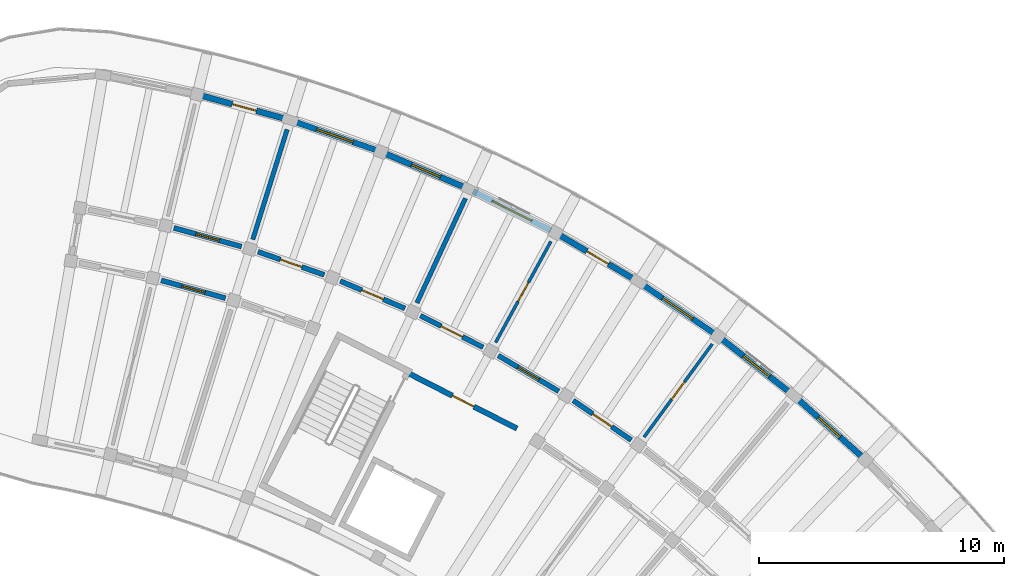
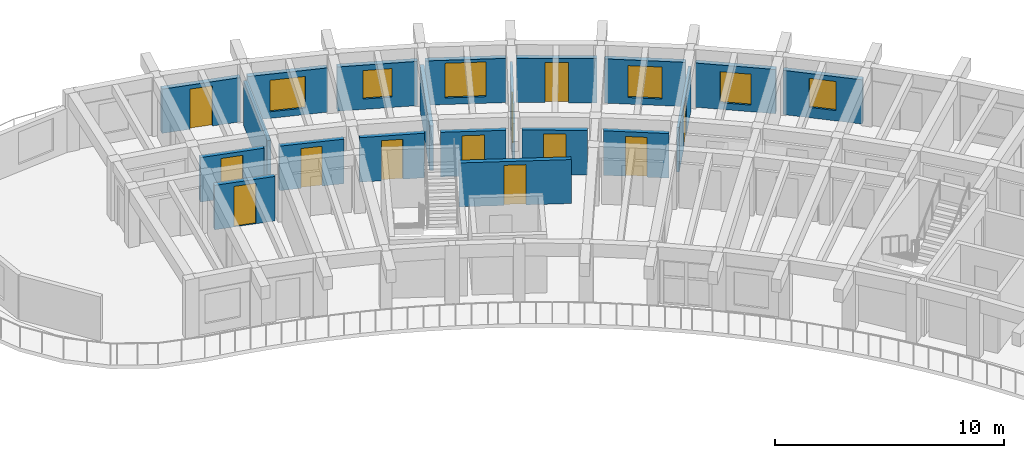
# One storey, part 36 of 56: 20 walls, 12 doors, 6 windows, 18 openings.
"""IFC4 building model written with IfcOpenShell, lengths in metres."""

import ifcopenshell
import ifcopenshell.guid

model = None  # the IFC model being written
_history = None  # IfcOwnerHistory: only IFC2X3 demands one
_inside = {}  # id of a spatial element -> (the spatial element, [elements in it])
_under = {}  # id of a project, library or spatial element -> (it, [spatial elements below it])
_declared = {}  # id of a project -> (the project, [libraries it declares])
_typed = {}  # id of a type object -> (the type object, [elements of that type])
_made_of = {}  # id of a material, layer set ... -> (it, [elements and type objects made of it])


def new_model(schema):
    """Start an empty IFC model of exactly this schema.

    Asked for "IFC4X3", IfcOpenShell would pick the latest addendum, in which some entities
    have other attributes; the version numbers below select the first issue.
    IFC2X3 requires an IfcOwnerHistory on every rooted entity: one is made here for all.
    """
    global model, _history
    if schema == "IFC4X3":
        model = ifcopenshell.file(schema_version=(4, 3, 0, 0))
    else:
        model = ifcopenshell.file(schema=schema)
    _inside.clear()
    _under.clear()
    _declared.clear()
    _typed.clear()
    _made_of.clear()
    _history = None
    if model.schema == "IFC2X3":
        org = make("IfcOrganization", Name="unknown")
        user = make(
            "IfcPersonAndOrganization",
            ThePerson=make("IfcPerson", FamilyName="unknown"),
            TheOrganization=org,
        )
        app = make(
            "IfcApplication",
            ApplicationDeveloper=org,
            Version="unknown",
            ApplicationFullName="unknown",
            ApplicationIdentifier="unknown",
        )
        _history = make(
            "IfcOwnerHistory",
            OwningUser=user,
            OwningApplication=app,
            ChangeAction="ADDED",
            CreationDate=0,
        )
    return model


def make(cls, **values):
    """One entity of the class cls with the attributes given. An attribute that is None is left unset."""
    return model.create_entity(
        cls, **{name: value for name, value in values.items() if value is not None}
    )


def rooted(cls, **values):
    """An entity with a GlobalId (a new one), such as an element, a storey or a relation."""
    return make(cls, GlobalId=ifcopenshell.guid.new(), OwnerHistory=_history, **values)


def si_unit(unit_type, name, prefix=None):
    """IfcSIUnit, for example si_unit("LENGTHUNIT", "METRE", prefix="MILLI")."""
    return make("IfcSIUnit", UnitType=unit_type, Prefix=prefix, Name=name)


def assignment(units):
    """IfcUnitAssignment: the units of a project."""
    return None if units is None else make("IfcUnitAssignment", Units=units)


def point(xyz):
    """IfcCartesianPoint."""
    return None if xyz is None else make("IfcCartesianPoint", Coordinates=xyz)


def direction(xyz):
    """IfcDirection."""
    return None if xyz is None else make("IfcDirection", DirectionRatios=xyz)


def frame(location, z_axis=None, x_axis=None):
    """IfcAxis2Placement3D, a coordinate frame: its origin and axes. An axis left out is left unset."""
    return make(
        "IfcAxis2Placement3D",
        Location=point(location),
        Axis=direction(z_axis),
        RefDirection=direction(x_axis),
    )


def frame_2d(location, x_axis=None):
    """IfcAxis2Placement2D, a coordinate frame in the plane: its origin and x axis."""
    return make(
        "IfcAxis2Placement2D", Location=point(location), RefDirection=direction(x_axis)
    )


def origin():
    """The frame at (0, 0, 0) with its axes left unset."""
    return frame((0.0, 0.0, 0.0))


def place(relative_to, where):
    """IfcLocalPlacement: puts the frame where relative to a parent placement (None: the world)."""
    return make(
        "IfcLocalPlacement", PlacementRelTo=relative_to, RelativePlacement=where
    )


def context(
    kind, dimensions, precision=None, world=None, true_north=None, identifier=None
):
    """IfcGeometricRepresentationContext, for example the 3D "Model" context."""
    return make(
        "IfcGeometricRepresentationContext",
        ContextIdentifier=identifier,
        ContextType=kind,
        CoordinateSpaceDimension=dimensions,
        Precision=precision,
        WorldCoordinateSystem=world,
        TrueNorth=true_north,
    )


def subcontext(parent, identifier, kind, view, scale=None):
    """IfcGeometricRepresentationSubContext, for example "Body" below "Model"."""
    return make(
        "IfcGeometricRepresentationSubContext",
        ContextIdentifier=identifier,
        ContextType=kind,
        ParentContext=parent,
        TargetScale=scale,
        TargetView=view,
    )


def project(units=None, contexts=None):
    """IfcProject with its units and contexts."""
    return rooted(
        "IfcProject",
        Name="project",
        RepresentationContexts=contexts,
        UnitsInContext=assignment(units),
    )


def spatial(cls, under=None, at=None, **own):
    """A site, building, storey or space (cls), placed at a placement, below another one or the project."""
    s = rooted(cls, ObjectPlacement=at, **own)
    if under is not None:
        _under.setdefault(under.id(), (under, []))[1].append(s)
    return s


def profile(cls, at=None, kind="AREA", **sizes):
    """A parametric profile (cls). Its sizes go by their IFC names, for example OverallWidth=200.0."""
    return make(cls, ProfileType=kind, Position=at, **sizes)


def rectangle(**sizes):
    """IfcRectangleProfileDef."""
    return profile("IfcRectangleProfileDef", **sizes)


def extrude(swept, where, along, depth):
    """IfcExtrudedAreaSolid: the profile swept, set in the frame where, extruded along a direction by depth."""
    return make(
        "IfcExtrudedAreaSolid",
        SweptArea=swept,
        Position=where,
        ExtrudedDirection=direction(along),
        Depth=depth,
    )


def shape(context_of_items, identifier, shape_type, items):
    """IfcShapeRepresentation: the items that make up one representation, for example the "Body"."""
    return make(
        "IfcShapeRepresentation",
        ContextOfItems=context_of_items,
        RepresentationIdentifier=identifier,
        RepresentationType=shape_type,
        Items=items,
    )


def material(Name=None, Category=None):
    """IfcMaterial."""
    return make("IfcMaterial", Name=Name, Category=Category)


def layer(
    of_material, thickness, ventilated=None, Name=None, Category=None, Priority=None
):
    """IfcMaterialLayer: one layer of a wall or slab, of a material (None: an air gap)."""
    return make(
        "IfcMaterialLayer",
        Material=of_material,
        LayerThickness=thickness,
        IsVentilated=ventilated,
        Name=Name,
        Category=Category,
        Priority=Priority,
    )


def layer_set(layers, Name=None):
    """IfcMaterialLayerSet."""
    return make("IfcMaterialLayerSet", MaterialLayers=layers, LayerSetName=Name)


def made_of(thing, what):
    """Note that an element or type object is made of a material, layer set ...; save() writes the relation."""
    if what is not None:
        _made_of.setdefault(what.id(), (what, []))[1].append(thing)
    return thing


def type_object(cls, material=None, **own):
    """A type object (cls), such as IfcWallType, which elements share."""
    return made_of(rooted(cls, **own), material)


def element(
    cls,
    number,
    at=None,
    inside=None,
    cuts=None,
    type_object=None,
    material=None,
    context=None,
    identifier="Body",
    shape_type=None,
    held_by="IfcProductDefinitionShape",
    body=None,
    shapes=None,
    **own,
):
    """One element of the class cls, such as IfcWall. Its Tag is "e" and its number.

    at: its placement. inside: the storey or other place that contains it. cuts: it is an
    opening in that element (IfcRelVoidsElement). A single representation is given by context,
    identifier, shape_type and body (its items); several are given by shapes. held_by: the class
    of the entity that holds the representations. save() writes the other relations.
    """
    e = rooted(cls, Tag="e%d" % number, ObjectPlacement=at, **own)
    if body is not None:
        shapes = [shape(context, identifier, shape_type, body)]
    if shapes is not None:
        e.Representation = make(held_by, Representations=shapes)
    if inside is not None:
        _inside.setdefault(inside.id(), (inside, []))[1].append(e)
    if cuts is not None:
        rooted(
            "IfcRelVoidsElement", RelatingBuildingElement=cuts, RelatedOpeningElement=e
        )
    if type_object is not None:
        _typed.setdefault(type_object.id(), (type_object, []))[1].append(e)
    return made_of(e, material)


def fill(opening, filler):
    """IfcRelFillsElement: the door or window that sits in an opening."""
    return rooted(
        "IfcRelFillsElement",
        RelatingOpeningElement=opening,
        RelatedBuildingElement=filler,
    )


def aggregate(whole, parts):
    """IfcRelAggregates: a whole, such as a stair, and the parts it consists of."""
    return rooted("IfcRelAggregates", RelatingObject=whole, RelatedObjects=parts)


def save(model, path):
    """Write the relations noted so far, then the file.

    IfcRelAggregates (storeys below a building ...), IfcRelContainedInSpatialStructure (elements
    in a storey), IfcRelDefinesByType, IfcRelAssociatesMaterial and IfcRelDeclares: one each for
    every whole, place, type object, material and project.
    """
    for whole, parts in _under.values():
        aggregate(whole, parts)
    for where, things in _inside.values():
        rooted(
            "IfcRelContainedInSpatialStructure",
            RelatedElements=things,
            RelatingStructure=where,
        )
    for kind, things in _typed.values():
        rooted("IfcRelDefinesByType", RelatedObjects=things, RelatingType=kind)
    for what, things in _made_of.values():
        rooted("IfcRelAssociatesMaterial", RelatedObjects=things, RelatingMaterial=what)
    for by, libraries in _declared.values():
        rooted("IfcRelDeclares", RelatingContext=by, RelatedDefinitions=libraries)
    model.write(path)


model = new_model("IFC4")

# Units and contexts
model_context = context("Model", 3, precision=1e-05, world=origin(), true_north=direction((0.0, 1.0)))
body_context = subcontext(model_context, "Body", "Model", "MODEL_VIEW")
ifc_project = project(units=[si_unit("LENGTHUNIT", "METRE"), si_unit("AREAUNIT", "SQUARE_METRE"), si_unit("VOLUMEUNIT", "CUBIC_METRE"), si_unit("PLANEANGLEUNIT", "RADIAN"), si_unit("MASSUNIT", "GRAM", prefix="KILO")], contexts=[model_context])

# Site, building, storey
site_placement = place(None, origin())
site = spatial("IfcSite", under=ifc_project, at=site_placement, CompositionType="ELEMENT")
building_placement = place(site_placement, origin())
building = spatial("IfcBuilding", under=site, at=building_placement, Name="Tanwirah Colonnade Gardens", CompositionType="ELEMENT")
storey_placement = place(building_placement, frame((0.0, 0.0, 29.0)))
storey = spatial("IfcBuildingStorey", under=building, at=storey_placement, Name="L08", CompositionType="ELEMENT", Elevation=29.0)

# Wall, opening, window
ifc_material_1 = material(Name="Limestone architectural precast concrete C40/50", Category="masonry")
ifc_layer_1 = layer(ifc_material_1, 0.239990234375)
ifc_layer_set_1 = layer_set([ifc_layer_1], Name="Limestone architectural precast concrete C40/50")
wall_type_1 = type_object("IfcWallType", Name="EW-PC240", PredefinedType="SOLIDWALL", material=ifc_layer_set_1)
wall_1_placement = place(storey_placement, frame((162.03662109375, 103.34375, 0.0), z_axis=(0.0, 0.0, 1.0), x_axis=(-0.744438243575, 0.667691322021, 0.0)))
wall_1 = element("IfcWall", 1, at=wall_1_placement, inside=storey, type_object=wall_type_1, Name="Block B L08 OUT Precast Facade Wall 8", PredefinedType="SOLIDWALL", context=body_context, shape_type="SweptSolid", body=[
    extrude(rectangle(XDim=3.54052734375, YDim=0.239990234375, at=frame_2d((1.770263671875, 0.0))), origin(), (0.0, 0.0, 1.0), 2.35498046875),
])
opening_1_placement = place(wall_1_placement, frame((1.17041015625, 0.0, 0.550048828125)))
opening_1 = element("IfcOpeningElement", 2, at=opening_1_placement, cuts=wall_1, Name="Opening WIN-T02", PredefinedType="OPENING", context=body_context, shape_type="SweptSolid", body=[
    extrude(rectangle(XDim=1.199951171875, YDim=1.550048828125, at=frame_2d((0.60009765625, 0.77490234375))), frame((0.0, 0.1298828125, 0.0), z_axis=(0.0, -1.0, 0.0), x_axis=(1.0, 0.0, 0.0)), (0.0, 0.0, 1.0), 0.260009765625),
])
ifc_material_2 = material(Name="Thermally broken bronze aluminium and solar low-E double glazing", Category="aluminium")
window_type_1 = type_object("IfcWindowType", Name="WIN-T02", PartitioningType="SINGLE_PANEL", PredefinedType="WINDOW", material=ifc_material_2)
window_1_placement = place(opening_1_placement, origin())
window_1 = element("IfcWindow", 3, at=window_1_placement, inside=storey, type_object=window_type_1, Name="Facade window B-L08-OUT-08", OverallHeight=1.550048828125, OverallWidth=1.199951171875, PartitioningType="SINGLE_PANEL", PredefinedType="WINDOW", context=body_context, shape_type="SweptSolid", body=[
    extrude(rectangle(XDim=1.199951171875, YDim=1.550048828125, at=frame_2d((0.60009765625, 0.77490234375))), frame((0.0, 0.030029296875, 0.0), z_axis=(0.0, -1.0, 0.0), x_axis=(1.0, 0.0, 0.0)), (0.0, 0.0, 1.0), 0.06005859375),
])
fill(opening_1, window_1)

wall_2_placement = place(storey_placement, frame((159.148193359375, 105.919677734375, 0.0), z_axis=(0.0, 0.0, 1.0), x_axis=(-0.786813367299, 0.617190995592, 0.0)))
wall_2 = element("IfcWall", 4, at=wall_2_placement, inside=storey, type_object=wall_type_1, Name="Block B L08 OUT Precast Facade Wall 9", PredefinedType="SOLIDWALL", context=body_context, shape_type="SweptSolid", body=[
    extrude(rectangle(XDim=3.540771484375, YDim=0.239990234375, at=frame_2d((1.7705078125, 0.0))), origin(), (0.0, 0.0, 1.0), 2.35498046875),
])
opening_2_placement = place(wall_2_placement, frame((1.095458984375, 0.0, 0.35009765625)))
opening_2 = element("IfcOpeningElement", 5, at=opening_2_placement, cuts=wall_2, Name="Opening WIN-T05", PredefinedType="OPENING", context=body_context, shape_type="SweptSolid", body=[
    extrude(rectangle(XDim=1.35009765625, YDim=1.64990234375, at=frame_2d((0.675048828125, 0.824951171875))), frame((0.0, 0.1298828125, 0.0), z_axis=(0.0, -1.0, 0.0), x_axis=(1.0, 0.0, 0.0)), (0.0, 0.0, 1.0), 0.260009765625),
])
window_type_2 = type_object("IfcWindowType", Name="WIN-T05", PartitioningType="DOUBLE_PANEL_VERTICAL", PredefinedType="WINDOW", material=ifc_material_2)
window_2_placement = place(opening_2_placement, origin())
window_2 = element("IfcWindow", 6, at=window_2_placement, inside=storey, type_object=window_type_2, Name="Facade window B-L08-OUT-09", OverallHeight=1.64990234375, OverallWidth=1.35009765625, PartitioningType="SINGLE_PANEL", PredefinedType="WINDOW", context=body_context, shape_type="SweptSolid", body=[
    extrude(rectangle(XDim=1.35009765625, YDim=1.64990234375, at=frame_2d((0.675048828125, 0.824951171875))), frame((0.0, 0.030029296875, 0.0), z_axis=(0.0, -1.0, 0.0), x_axis=(1.0, 0.0, 0.0)), (0.0, 0.0, 1.0), 0.06005859375),
])
fill(opening_2, window_2)

wall_3_placement = place(storey_placement, frame((156.007568359375, 108.364990234375, 0.0), z_axis=(0.0, 0.0, 1.0), x_axis=(-0.825792366032, 0.563974262005, 0.0)))
wall_3 = element("IfcWall", 7, at=wall_3_placement, inside=storey, type_object=wall_type_1, Name="Block B L08 OUT Precast Facade Wall 10", PredefinedType="SOLIDWALL", context=body_context, shape_type="SweptSolid", body=[
    extrude(rectangle(XDim=3.54052734375, YDim=0.239990234375, at=frame_2d((1.770263671875, 0.0))), origin(), (0.0, 0.0, 1.0), 2.35498046875),
])
opening_3_placement = place(wall_3_placement, frame((1.020263671875, 0.0, 0.35009765625)))
opening_3 = element("IfcOpeningElement", 8, at=opening_3_placement, cuts=wall_3, Name="Opening WIN-T08", PredefinedType="OPENING", context=body_context, shape_type="SweptSolid", body=[
    extrude(rectangle(XDim=1.5, YDim=1.699951171875, at=frame_2d((0.75, 0.85009765625))), frame((0.0, 0.1298828125, 0.0), z_axis=(0.0, -1.0, 0.0), x_axis=(1.0, 0.0, 0.0)), (0.0, 0.0, 1.0), 0.260009765625),
])
window_type_3 = type_object("IfcWindowType", Name="WIN-T08", PartitioningType="DOUBLE_PANEL_VERTICAL", PredefinedType="WINDOW", material=ifc_material_2)
window_3_placement = place(opening_3_placement, origin())
window_3 = element("IfcWindow", 9, at=window_3_placement, inside=storey, type_object=window_type_3, Name="Facade window B-L08-OUT-10", OverallHeight=1.699951171875, OverallWidth=1.5, PartitioningType="SINGLE_PANEL", PredefinedType="WINDOW", context=body_context, shape_type="SweptSolid", body=[
    extrude(rectangle(XDim=1.5, YDim=1.699951171875, at=frame_2d((0.75, 0.85009765625))), frame((0.0, 0.030029296875, 0.0), z_axis=(0.0, -1.0, 0.0), x_axis=(1.0, 0.0, 0.0)), (0.0, 0.0, 1.0), 0.06005859375),
])
fill(opening_3, window_3)

# Wall, opening, door
wall_4_placement = place(storey_placement, frame((152.805419921875, 110.538818359375, 0.0), z_axis=(0.0, 0.0, 1.0), x_axis=(-0.861133733249, 0.508378494294, 0.0)))
wall_4 = element("IfcWall", 10, at=wall_4_placement, inside=storey, type_object=wall_type_1, Name="Block B L08 OUT Precast Facade Wall 11", PredefinedType="SOLIDWALL", context=body_context, shape_type="SweptSolid", body=[
    extrude(rectangle(XDim=3.540771484375, YDim=0.239990234375, at=frame_2d((1.7705078125, 0.0))), origin(), (0.0, 0.0, 1.0), 2.35498046875),
])
opening_4_placement = place(wall_4_placement, frame((1.260498046875, 0.0, 0.0)))
opening_4 = element("IfcOpeningElement", 11, at=opening_4_placement, cuts=wall_4, Name="Opening L08-ED106", PredefinedType="OPENING", context=body_context, shape_type="SweptSolid", body=[
    extrude(rectangle(XDim=1.02001953125, YDim=2.139892578125, at=frame_2d((0.510009765625, 1.06982421875))), frame((0.0, 0.1298828125, 0.0), z_axis=(0.0, -1.0, 0.0), x_axis=(1.0, 0.0, 0.0)), (0.0, 0.0, 1.0), 0.260009765625),
])
ifc_material_3 = material(Name="Bronze aluminium glazed balcony door", Category="aluminium")
door_type_1 = type_object("IfcDoorType", Name="ED-BAL102", OperationType="NOTDEFINED", PredefinedType="DOOR", material=ifc_material_3)
door_1_placement = place(opening_4_placement, origin())
door_1 = element("IfcDoor", 12, at=door_1_placement, inside=storey, type_object=door_type_1, Name="Balcony glazed door L08-ED106", OperationType="SINGLE_SWING_RIGHT", OverallHeight=2.139892578125, OverallWidth=1.02001953125, PredefinedType="DOOR", context=body_context, shape_type="SweptSolid", body=[
    extrude(rectangle(XDim=1.02001953125, YDim=2.139892578125, at=frame_2d((0.510009765625, 1.06982421875))), frame((0.0, 0.02490234375, 0.0), z_axis=(0.0, -1.0, 0.0), x_axis=(1.0, 0.0, 0.0)), (0.0, 0.0, 1.0), 0.050048828125),
])
fill(opening_4, door_1)

# Wall, opening, window
wall_5_placement = place(storey_placement, frame((149.37060546875, 112.5498046875, 0.0), z_axis=(0.0, 0.0, 1.0), x_axis=(-0.892766264705, 0.450520140066, 0.0)))
wall_5 = element("IfcWall", 13, at=wall_5_placement, inside=storey, type_object=wall_type_1, Name="Block B L08 OUT Precast Facade Wall 12", PredefinedType="SOLIDWALL", context=body_context, shape_type="SweptSolid", body=[
    extrude(rectangle(XDim=3.540771484375, YDim=0.239990234375, at=frame_2d((1.7705078125, 0.0))), origin(), (0.0, 0.0, 1.0), 2.35498046875),
])
opening_5_placement = place(wall_5_placement, frame((0.870361328125, 0.0, 0.35009765625)))
opening_5 = element("IfcOpeningElement", 14, at=opening_5_placement, cuts=wall_5, Name="Opening WIN-T14", PredefinedType="OPENING", context=body_context, shape_type="SweptSolid", body=[
    extrude(rectangle(XDim=1.800048828125, YDim=1.85009765625, at=frame_2d((0.89990234375, 0.925048828125))), frame((0.0, 0.1298828125, 0.0), z_axis=(0.0, -1.0, 0.0), x_axis=(1.0, 0.0, 0.0)), (0.0, 0.0, 1.0), 0.260009765625),
])
window_type_4 = type_object("IfcWindowType", Name="WIN-T14", PartitioningType="TRIPLE_PANEL_VERTICAL", PredefinedType="WINDOW", material=ifc_material_2)
window_4_placement = place(opening_5_placement, origin())
window_4 = element("IfcWindow", 15, at=window_4_placement, inside=storey, type_object=window_type_4, Name="Facade window B-L08-OUT-12", OverallHeight=1.85009765625, OverallWidth=1.800048828125, PartitioningType="SINGLE_PANEL", PredefinedType="WINDOW", context=body_context, shape_type="SweptSolid", body=[
    extrude(rectangle(XDim=1.800048828125, YDim=1.85009765625, at=frame_2d((0.89990234375, 0.925048828125))), frame((0.0, 0.030029296875, 0.0), z_axis=(0.0, -1.0, 0.0), x_axis=(1.0, 0.0, 0.0)), (0.0, 0.0, 1.0), 0.06005859375),
])
fill(opening_5, window_4)

wall_6_placement = place(storey_placement, frame((145.910400390625, 114.28369140625, 0.0), z_axis=(0.0, 0.0, 1.0), x_axis=(-0.920498375564, 0.390746389088, 0.0)))
wall_6 = element("IfcWall", 16, at=wall_6_placement, inside=storey, type_object=wall_type_1, Name="Block B L08 OUT Precast Facade Wall 13", PredefinedType="SOLIDWALL", context=body_context, shape_type="SweptSolid", body=[
    extrude(rectangle(XDim=3.540771484375, YDim=0.239990234375, at=frame_2d((1.7705078125, 0.0))), origin(), (0.0, 0.0, 1.0), 2.35498046875),
])
opening_6_placement = place(wall_6_placement, frame((1.13037109375, 0.0, 0.550048828125)))
opening_6 = element("IfcOpeningElement", 17, at=opening_6_placement, cuts=wall_6, Name="Opening WIN-T17", PredefinedType="OPENING", context=body_context, shape_type="SweptSolid", body=[
    extrude(rectangle(XDim=1.280029296875, YDim=1.52001953125, at=frame_2d((0.64013671875, 0.760009765625))), frame((0.0, 0.1298828125, 0.0), z_axis=(0.0, -1.0, 0.0), x_axis=(1.0, 0.0, 0.0)), (0.0, 0.0, 1.0), 0.260009765625),
])
window_type_5 = type_object("IfcWindowType", Name="WIN-T17", PartitioningType="SINGLE_PANEL", PredefinedType="WINDOW", material=ifc_material_2)
window_5_placement = place(opening_6_placement, origin())
window_5 = element("IfcWindow", 18, at=window_5_placement, inside=storey, type_object=window_type_5, Name="Facade window B-L08-OUT-13", OverallHeight=1.52001953125, OverallWidth=1.280029296875, PartitioningType="SINGLE_PANEL", PredefinedType="WINDOW", context=body_context, shape_type="SweptSolid", body=[
    extrude(rectangle(XDim=1.280029296875, YDim=1.52001953125, at=frame_2d((0.64013671875, 0.760009765625))), frame((0.0, 0.030029296875, 0.0), z_axis=(0.0, -1.0, 0.0), x_axis=(1.0, 0.0, 0.0)), (0.0, 0.0, 1.0), 0.06005859375),
])
fill(opening_6, window_5)

wall_7_placement = place(storey_placement, frame((142.240966796875, 115.82568359375, 0.0), z_axis=(0.0, 0.0, 1.0), x_axis=(-0.944250036963, 0.329229202373, 0.0)))
wall_7 = element("IfcWall", 19, at=wall_7_placement, inside=storey, type_object=wall_type_1, Name="Block B L08 OUT Precast Facade Wall 14", PredefinedType="SOLIDWALL", context=body_context, shape_type="SweptSolid", body=[
    extrude(rectangle(XDim=3.541015625, YDim=0.239990234375, at=frame_2d((1.7705078125, 0.0))), origin(), (0.0, 0.0, 1.0), 2.35498046875),
])
opening_7_placement = place(wall_7_placement, frame((0.980224609375, 0.0, 0.35009765625)))
opening_7 = element("IfcOpeningElement", 20, at=opening_7_placement, cuts=wall_7, Name="Opening WIN-T20", PredefinedType="OPENING", context=body_context, shape_type="SweptSolid", body=[
    extrude(rectangle(XDim=1.580078125, YDim=1.679931640625, at=frame_2d((0.7900390625, 0.83984375))), frame((0.0, 0.1298828125, 0.0), z_axis=(0.0, -1.0, 0.0), x_axis=(1.0, 0.0, 0.0)), (0.0, 0.0, 1.0), 0.260009765625),
])
window_type_6 = type_object("IfcWindowType", Name="WIN-T20", PartitioningType="DOUBLE_PANEL_VERTICAL", PredefinedType="WINDOW", material=ifc_material_2)
window_6_placement = place(opening_7_placement, origin())
window_6 = element("IfcWindow", 21, at=window_6_placement, inside=storey, type_object=window_type_6, Name="Facade window B-L08-OUT-14", OverallHeight=1.679931640625, OverallWidth=1.580078125, PartitioningType="SINGLE_PANEL", PredefinedType="WINDOW", context=body_context, shape_type="SweptSolid", body=[
    extrude(rectangle(XDim=1.580078125, YDim=1.679931640625, at=frame_2d((0.7900390625, 0.83984375))), frame((0.0, 0.030029296875, 0.0), z_axis=(0.0, -1.0, 0.0), x_axis=(1.0, 0.0, 0.0)), (0.0, 0.0, 1.0), 0.06005859375),
])
fill(opening_7, window_6)

# Wall, opening, door
wall_8_placement = place(storey_placement, frame((138.582763671875, 117.089599609375, 0.0), z_axis=(0.0, 0.0, 1.0), x_axis=(-0.963891366843, 0.266295762125, 0.0)))
wall_8 = element("IfcWall", 22, at=wall_8_placement, inside=storey, type_object=wall_type_1, Name="Block B L08 OUT Precast Facade Wall 15", PredefinedType="SOLIDWALL", context=body_context, shape_type="SweptSolid", body=[
    extrude(rectangle(XDim=3.540771484375, YDim=0.239990234375, at=frame_2d((1.7705078125, 0.0))), origin(), (0.0, 0.0, 1.0), 2.35498046875),
])
opening_8_placement = place(wall_8_placement, frame((1.26025390625, 0.0, 0.0)))
opening_8 = element("IfcOpeningElement", 23, at=opening_8_placement, cuts=wall_8, Name="Opening L08-ED107", PredefinedType="OPENING", context=body_context, shape_type="SweptSolid", body=[
    extrude(rectangle(XDim=1.02001953125, YDim=2.139892578125, at=frame_2d((0.510009765625, 1.06982421875))), frame((0.0, 0.1298828125, 0.0), z_axis=(0.0, -1.0, 0.0), x_axis=(1.0, 0.0, 0.0)), (0.0, 0.0, 1.0), 0.260009765625),
])
door_2_placement = place(opening_8_placement, origin())
door_2 = element("IfcDoor", 24, at=door_2_placement, inside=storey, type_object=door_type_1, Name="Balcony glazed door L08-ED107", OperationType="SINGLE_SWING_RIGHT", OverallHeight=2.139892578125, OverallWidth=1.02001953125, PredefinedType="DOOR", context=body_context, shape_type="SweptSolid", body=[
    extrude(rectangle(XDim=1.02001953125, YDim=2.139892578125, at=frame_2d((0.510009765625, 1.06982421875))), frame((0.0, 0.02490234375, 0.0), z_axis=(0.0, -1.0, 0.0), x_axis=(1.0, 0.0, 0.0)), (0.0, 0.0, 1.0), 0.050048828125),
])
fill(opening_8, door_2)

ifc_material_4 = material(Name="Precast concrete C40/50", Category="concrete")
ifc_layer_2 = layer(ifc_material_4, 0.205078125)
ifc_layer_set_2 = layer_set([ifc_layer_2], Name="Precast concrete C40/50")
wall_type_2 = type_object("IfcWallType", Name="IW-CORR205", PredefinedType="PARTITIONING", material=ifc_layer_set_2)
wall_9_placement = place(storey_placement, frame((152.650146484375, 104.001220703125, 0.0), z_axis=(0.0, 0.0, 1.0), x_axis=(-0.825779671787, 0.563992848947, 0.0)))
wall_9 = element("IfcWall", 25, at=wall_9_placement, inside=storey, type_object=wall_type_2, Name="Block B L08 OUT Corridor Wall 10", PredefinedType="PARTITIONING", context=body_context, shape_type="SweptSolid", body=[
    extrude(rectangle(XDim=2.863037109375, YDim=0.205078125, at=frame_2d((1.431640625, 0.0))), origin(), (0.0, 0.0, 1.0), 2.3701171875),
])
opening_9_placement = place(wall_9_placement, frame((0.966552734375, 0.0, 0.0)))
opening_9 = element("IfcOpeningElement", 26, at=opening_9_placement, cuts=wall_9, Name="Opening L08-AD1147", PredefinedType="OPENING", context=body_context, shape_type="SweptSolid", body=[
    extrude(rectangle(XDim=0.929931640625, YDim=2.1201171875, at=frame_2d((0.46484375, 1.06005859375))), frame((0.0, 0.112548828125, 0.0), z_axis=(0.0, -1.0, 0.0), x_axis=(1.0, 0.0, 0.0)), (0.0, 0.0, 1.0), 0.22509765625),
])
ifc_material_5 = material(Name="Solid oak fire-resisting apartment entrance door")
door_type_2 = type_object("IfcDoorType", Name="ID-FLT093", OperationType="NOTDEFINED", PredefinedType="DOOR", material=ifc_material_5)
door_3_placement = place(opening_9_placement, origin())
door_3 = element("IfcDoor", 27, at=door_3_placement, inside=storey, type_object=door_type_2, Name="Apartment corridor door L08-AD1147", OperationType="SINGLE_SWING_LEFT", OverallHeight=2.1201171875, OverallWidth=0.929931640625, PredefinedType="DOOR", context=body_context, shape_type="SweptSolid", body=[
    extrude(rectangle(XDim=0.929931640625, YDim=2.1201171875, at=frame_2d((0.46484375, 1.06005859375))), frame((0.0, 0.02490234375, 0.0), z_axis=(0.0, -1.0, 0.0), x_axis=(1.0, 0.0, 0.0)), (0.0, 0.0, 1.0), 0.050048828125),
])
fill(opening_9, door_3)

wall_10_placement = place(storey_placement, frame((149.6953125, 105.991455078125, 0.0), z_axis=(0.0, 0.0, 1.0), x_axis=(-0.861113214678, 0.508413248753, 0.0)))
wall_10 = element("IfcWall", 28, at=wall_10_placement, inside=storey, type_object=wall_type_2, Name="Block B L08 OUT Corridor Wall 11", PredefinedType="PARTITIONING", context=body_context, shape_type="SweptSolid", body=[
    extrude(rectangle(XDim=2.863037109375, YDim=0.205078125, at=frame_2d((1.431640625, 0.0))), origin(), (0.0, 0.0, 1.0), 2.3701171875),
])
opening_10_placement = place(wall_10_placement, frame((0.9365234375, 0.0, 0.0)))
opening_10 = element("IfcOpeningElement", 29, at=opening_10_placement, cuts=wall_10, Name="Opening L08-AD1149", PredefinedType="OPENING", context=body_context, shape_type="SweptSolid", body=[
    extrude(rectangle(XDim=0.989990234375, YDim=2.159912109375, at=frame_2d((0.4951171875, 1.080078125))), frame((0.0, 0.112548828125, 0.0), z_axis=(0.0, -1.0, 0.0), x_axis=(1.0, 0.0, 0.0)), (0.0, 0.0, 1.0), 0.22509765625),
])
door_type_3 = type_object("IfcDoorType", Name="ID-FLT099", OperationType="NOTDEFINED", PredefinedType="DOOR", material=ifc_material_5)
door_4_placement = place(opening_10_placement, origin())
door_4 = element("IfcDoor", 30, at=door_4_placement, inside=storey, type_object=door_type_3, Name="Apartment corridor door L08-AD1149", OperationType="SINGLE_SWING_RIGHT", OverallHeight=2.159912109375, OverallWidth=0.989990234375, PredefinedType="DOOR", context=body_context, shape_type="SweptSolid", body=[
    extrude(rectangle(XDim=0.989990234375, YDim=2.159912109375, at=frame_2d((0.4951171875, 1.080078125))), frame((0.0, 0.02490234375, 0.0), z_axis=(0.0, -1.0, 0.0), x_axis=(1.0, 0.0, 0.0)), (0.0, 0.0, 1.0), 0.050048828125),
])
fill(opening_10, door_4)

wall_11_placement = place(storey_placement, frame((146.615966796875, 107.782470703125, 0.0), z_axis=(0.0, 0.0, 1.0), x_axis=(-0.89273239336, 0.450587254419, 0.0)))
wall_11 = element("IfcWall", 31, at=wall_11_placement, inside=storey, type_object=wall_type_2, Name="Block B L08 OUT Corridor Wall 12", PredefinedType="PARTITIONING", context=body_context, shape_type="SweptSolid", body=[
    extrude(rectangle(XDim=2.863037109375, YDim=0.205078125, at=frame_2d((1.431640625, 0.0))), origin(), (0.0, 0.0, 1.0), 2.3701171875),
])
opening_11_placement = place(wall_11_placement, frame((0.946533203125, 0.0, 0.0)))
opening_11 = element("IfcOpeningElement", 32, at=opening_11_placement, cuts=wall_11, Name="Opening L08-AD1151", PredefinedType="OPENING", context=body_context, shape_type="SweptSolid", body=[
    extrude(rectangle(XDim=0.969970703125, YDim=2.14990234375, at=frame_2d((0.48486328125, 1.074951171875))), frame((0.0, 0.112548828125, 0.0), z_axis=(0.0, -1.0, 0.0), x_axis=(1.0, 0.0, 0.0)), (0.0, 0.0, 1.0), 0.22509765625),
])
door_type_4 = type_object("IfcDoorType", Name="ID-FLT097", OperationType="NOTDEFINED", PredefinedType="DOOR", material=ifc_material_5)
door_5_placement = place(opening_11_placement, origin())
door_5 = element("IfcDoor", 33, at=door_5_placement, inside=storey, type_object=door_type_4, Name="Apartment corridor door L08-AD1151", OperationType="SINGLE_SWING_LEFT", OverallHeight=2.14990234375, OverallWidth=0.969970703125, PredefinedType="DOOR", context=body_context, shape_type="SweptSolid", body=[
    extrude(rectangle(XDim=0.969970703125, YDim=2.14990234375, at=frame_2d((0.48486328125, 1.074951171875))), frame((0.0, 0.02490234375, 0.0), z_axis=(0.0, -1.0, 0.0), x_axis=(1.0, 0.0, 0.0)), (0.0, 0.0, 1.0), 0.050048828125),
])
fill(opening_11, door_5)

wall_12_placement = place(storey_placement, frame((143.42529296875, 109.366943359375, 0.0), z_axis=(0.0, 0.0, 1.0), x_axis=(-0.920511160294, 0.390716270168, 0.0)))
wall_12 = element("IfcWall", 34, at=wall_12_placement, inside=storey, type_object=wall_type_2, Name="Block B L08 OUT Corridor Wall 13", PredefinedType="PARTITIONING", context=body_context, shape_type="SweptSolid", body=[
    extrude(rectangle(XDim=2.863037109375, YDim=0.205078125, at=frame_2d((1.431640625, 0.0))), origin(), (0.0, 0.0, 1.0), 2.3701171875),
])
opening_12_placement = place(wall_12_placement, frame((0.95654296875, 0.0, 0.0)))
opening_12 = element("IfcOpeningElement", 35, at=opening_12_placement, cuts=wall_12, Name="Opening L08-AD1152", PredefinedType="OPENING", context=body_context, shape_type="SweptSolid", body=[
    extrude(rectangle(XDim=0.949951171875, YDim=2.1298828125, at=frame_2d((0.47509765625, 1.06494140625))), frame((0.0, 0.112548828125, 0.0), z_axis=(0.0, -1.0, 0.0), x_axis=(1.0, 0.0, 0.0)), (0.0, 0.0, 1.0), 0.22509765625),
])
door_type_5 = type_object("IfcDoorType", Name="ID-FLT095", OperationType="NOTDEFINED", PredefinedType="DOOR", material=ifc_material_5)
door_6_placement = place(opening_12_placement, origin())
door_6 = element("IfcDoor", 36, at=door_6_placement, inside=storey, type_object=door_type_5, Name="Apartment corridor door L08-AD1152", OperationType="SINGLE_SWING_RIGHT", OverallHeight=2.1298828125, OverallWidth=0.949951171875, PredefinedType="DOOR", context=body_context, shape_type="SweptSolid", body=[
    extrude(rectangle(XDim=0.949951171875, YDim=2.1298828125, at=frame_2d((0.47509765625, 1.06494140625))), frame((0.0, 0.02490234375, 0.0), z_axis=(0.0, -1.0, 0.0), x_axis=(1.0, 0.0, 0.0)), (0.0, 0.0, 1.0), 0.050048828125),
])
fill(opening_12, door_6)

wall_13_placement = place(storey_placement, frame((140.13720703125, 110.737548828125, 0.0), z_axis=(0.0, 0.0, 1.0), x_axis=(-0.944253820929, 0.329218349522, 0.0)))
wall_13 = element("IfcWall", 37, at=wall_13_placement, inside=storey, type_object=wall_type_2, Name="Block B L08 OUT Corridor Wall 14", PredefinedType="PARTITIONING", context=body_context, shape_type="SweptSolid", body=[
    extrude(rectangle(XDim=2.86328125, YDim=0.205078125, at=frame_2d((1.431640625, 0.0))), origin(), (0.0, 0.0, 1.0), 2.3701171875),
])
opening_13_placement = place(wall_13_placement, frame((0.966552734375, 0.0, 0.0)))
opening_13 = element("IfcOpeningElement", 38, at=opening_13_placement, cuts=wall_13, Name="Opening L08-AD1153", PredefinedType="OPENING", context=body_context, shape_type="SweptSolid", body=[
    extrude(rectangle(XDim=0.929931640625, YDim=2.1201171875, at=frame_2d((0.46484375, 1.06005859375))), frame((0.0, 0.112548828125, 0.0), z_axis=(0.0, -1.0, 0.0), x_axis=(1.0, 0.0, 0.0)), (0.0, 0.0, 1.0), 0.22509765625),
])
door_7_placement = place(opening_13_placement, origin())
door_7 = element("IfcDoor", 39, at=door_7_placement, inside=storey, type_object=door_type_2, Name="Apartment corridor door L08-AD1153", OperationType="SINGLE_SWING_LEFT", OverallHeight=2.1201171875, OverallWidth=0.929931640625, PredefinedType="DOOR", context=body_context, shape_type="SweptSolid", body=[
    extrude(rectangle(XDim=0.929931640625, YDim=2.1201171875, at=frame_2d((0.46484375, 1.06005859375))), frame((0.0, 0.02490234375, 0.0), z_axis=(0.0, -1.0, 0.0), x_axis=(1.0, 0.0, 0.0)), (0.0, 0.0, 1.0), 0.050048828125),
])
fill(opening_13, door_7)

wall_14_placement = place(storey_placement, frame((136.765869140625, 111.888671875, 0.0), z_axis=(0.0, 0.0, 1.0), x_axis=(-0.963890789093, 0.266297853356, 0.0)))
wall_14 = element("IfcWall", 40, at=wall_14_placement, inside=storey, type_object=wall_type_2, Name="Block B L08 OUT Corridor Wall 15", PredefinedType="PARTITIONING", context=body_context, shape_type="SweptSolid", body=[
    extrude(rectangle(XDim=2.863037109375, YDim=0.205078125, at=frame_2d((1.431640625, 0.0))), origin(), (0.0, 0.0, 1.0), 2.3701171875),
])
opening_14_placement = place(wall_14_placement, frame((0.9365234375, 0.0, 0.0)))
opening_14 = element("IfcOpeningElement", 41, at=opening_14_placement, cuts=wall_14, Name="Opening L08-AD1155", PredefinedType="OPENING", context=body_context, shape_type="SweptSolid", body=[
    extrude(rectangle(XDim=0.989990234375, YDim=2.159912109375, at=frame_2d((0.4951171875, 1.080078125))), frame((0.0, 0.112548828125, 0.0), z_axis=(0.0, -1.0, 0.0), x_axis=(1.0, 0.0, 0.0)), (0.0, 0.0, 1.0), 0.22509765625),
])
door_8_placement = place(opening_14_placement, origin())
door_8 = element("IfcDoor", 42, at=door_8_placement, inside=storey, type_object=door_type_3, Name="Apartment corridor door L08-AD1155", OperationType="SINGLE_SWING_RIGHT", OverallHeight=2.159912109375, OverallWidth=0.989990234375, PredefinedType="DOOR", context=body_context, shape_type="SweptSolid", body=[
    extrude(rectangle(XDim=0.989990234375, YDim=2.159912109375, at=frame_2d((0.4951171875, 1.080078125))), frame((0.0, 0.02490234375, 0.0), z_axis=(0.0, -1.0, 0.0), x_axis=(1.0, 0.0, 0.0)), (0.0, 0.0, 1.0), 0.050048828125),
])
fill(opening_14, door_8)

wall_15_placement = place(storey_placement, frame((136.1103515625, 109.78857421875, 0.0), z_axis=(0.0, 0.0, 1.0), x_axis=(-0.96388375821, 0.266323301006, 0.0)))
wall_15 = element("IfcWall", 43, at=wall_15_placement, inside=storey, type_object=wall_type_2, Name="Block B L08 IN Corridor Wall 15", PredefinedType="PARTITIONING", context=body_context, shape_type="SweptSolid", body=[
    extrude(rectangle(XDim=2.718017578125, YDim=0.205078125, at=frame_2d((1.35888671875, 0.0))), origin(), (0.0, 0.0, 1.0), 2.3701171875),
])
opening_15_placement = place(wall_15_placement, frame((0.864013671875, 0.0, 0.0)))
opening_15 = element("IfcOpeningElement", 44, at=opening_15_placement, cuts=wall_15, Name="Opening L08-AD1156", PredefinedType="OPENING", context=body_context, shape_type="SweptSolid", body=[
    extrude(rectangle(XDim=0.989990234375, YDim=2.159912109375, at=frame_2d((0.4951171875, 1.080078125))), frame((0.0, 0.112548828125, 0.0), z_axis=(0.0, -1.0, 0.0), x_axis=(1.0, 0.0, 0.0)), (0.0, 0.0, 1.0), 0.22509765625),
])
door_9_placement = place(opening_15_placement, origin())
door_9 = element("IfcDoor", 45, at=door_9_placement, inside=storey, type_object=door_type_3, Name="Apartment corridor door L08-AD1156", OperationType="SINGLE_SWING_LEFT", OverallHeight=2.159912109375, OverallWidth=0.989990234375, PredefinedType="DOOR", context=body_context, shape_type="SweptSolid", body=[
    extrude(rectangle(XDim=0.989990234375, YDim=2.159912109375, at=frame_2d((0.4951171875, 1.080078125))), frame((0.0, 0.02490234375, 0.0), z_axis=(0.0, -1.0, 0.0), x_axis=(1.0, 0.0, 0.0)), (0.0, 0.0, 1.0), 0.050048828125),
])
fill(opening_15, door_9)

# Walls
ifc_layer_3 = layer(ifc_material_4, 0.18505859375)
ifc_layer_set_3 = layer_set([ifc_layer_3], Name="Precast concrete C40/50")
wall_type_3 = type_object("IfcWallType", Name="IW-DEM185", PredefinedType="PARTITIONING", material=ifc_layer_set_3)
for number, where, z_axis, x_axis, name in (
    (46, (143.915771484375, 109.593017578125, 0.0), (0.0, 0.0, 1.0), (0.420862519045, 0.907124434718, 0.0), "Block B L08 Radial Partition 12"),
    (47, (137.222412109375, 112.17724609375, 0.0), (0.0, 0.0, 1.0), (0.297905254614, 0.954595442726, 0.0), "Block B L08 Radial Partition 14"),
):
    element("IfcWall", number, at=place(storey_placement, frame(where, z_axis=z_axis, x_axis=x_axis)), inside=storey, type_object=wall_type_3, Name=name, PredefinedType="PARTITIONING", context=body_context, shape_type="SweptSolid", body=[
        extrude(rectangle(XDim=4.699951171875, YDim=0.18505859375, at=frame_2d((2.35009765625, 0.0))), origin(), (0.0, 0.0, 1.0), 2.3701171875),
    ])

# Wall, opening, door
ifc_material_6 = material(Name="Autoclaved aerated masonry blockwork", Category="masonry")
ifc_layer_4 = layer(ifc_material_6, 0.219970703125)
ifc_layer_set_4 = layer_set([ifc_layer_4], Name="Autoclaved aerated masonry blockwork")
wall_type_4 = type_object("IfcWallType", Name="IW-FFL220", PredefinedType="PARTITIONING", material=ifc_layer_set_4)
wall_16_placement = place(storey_placement, frame((143.624755859375, 106.6962890625, 0.0), z_axis=(0.0, 0.0, 1.0), x_axis=(0.891003372311, -0.453996685595, 0.0)))
wall_16 = element("IfcWall", 48, at=wall_16_placement, inside=storey, type_object=wall_type_4, Name="CORE-B2 L08 Enclosed Lobby Fire Wall", PredefinedType="PARTITIONING", context=body_context, shape_type="SweptSolid", body=[
    extrude(rectangle(XDim=4.900146484375, YDim=0.219970703125, at=frame_2d((2.4501953125, 0.0))), origin(), (0.0, 0.0, 1.0), 2.340087890625),
])
opening_16_placement = place(wall_16_placement, frame((1.949951171875, 0.0, 0.0)))
opening_16 = element("IfcOpeningElement", 49, at=opening_16_placement, cuts=wall_16, Name="Opening L08-LD116", PredefinedType="OPENING", context=body_context, shape_type="SweptSolid", body=[
    extrude(rectangle(XDim=0.97998046875, YDim=2.139892578125, at=frame_2d((0.489990234375, 1.06982421875))), frame((0.0, 0.119873046875, 0.0), z_axis=(0.0, -1.0, 0.0), x_axis=(1.0, 0.0, 0.0)), (0.0, 0.0, 1.0), 0.239990234375),
])
ifc_material_7 = material(Name="Acoustic fire-resisting lobby door")
door_type_6 = type_object("IfcDoorType", Name="ID-FFL098", OperationType="NOTDEFINED", PredefinedType="DOOR", material=ifc_material_7)
door_10_placement = place(opening_16_placement, origin())
door_10 = element("IfcDoor", 50, at=door_10_placement, inside=storey, type_object=door_type_6, Name="CORE-B2 L08 Lobby Fire Door L08-LD116", OperationType="SINGLE_SWING_LEFT", OverallHeight=2.139892578125, OverallWidth=0.97998046875, PredefinedType="DOOR", context=body_context, shape_type="SweptSolid", body=[
    extrude(rectangle(XDim=0.97998046875, YDim=2.139892578125, at=frame_2d((0.489990234375, 1.06982421875))), frame((0.0, 0.02490234375, 0.0), z_axis=(0.0, -1.0, 0.0), x_axis=(1.0, 0.0, 0.0)), (0.0, 0.0, 1.0), 0.050048828125),
])
fill(opening_16, door_10)

ifc_material_8 = material(Name="Moisture-resistant gypsum stud partition")
ifc_layer_5 = layer(ifc_material_8, 0.125)
ifc_layer_set_5 = layer_set([ifc_layer_5], Name="Moisture-resistant gypsum stud partition")
wall_type_5 = type_object("IfcWallType", Name="IW-INT125", PredefinedType="PARTITIONING", material=ifc_layer_set_5)
wall_17_placement = place(storey_placement, frame((153.175537109375, 104.12646484375, 0.0), z_axis=(0.0, 0.0, 1.0), x_axis=(0.590910940129, 0.806736797745, 0.0)))
wall_17 = element("IfcWall", 51, at=wall_17_placement, inside=storey, type_object=wall_type_5, Name="Block B L08 Radial Partition 9", PredefinedType="PARTITIONING", context=body_context, shape_type="SweptSolid", body=[
    extrude(rectangle(XDim=4.7001953125, YDim=0.125, at=frame_2d((2.35009765625, 0.0))), origin(), (0.0, 0.0, 1.0), 2.3701171875),
])
opening_17_placement = place(wall_17_placement, frame((1.9150390625, 0.0, 0.0)))
opening_17 = element("IfcOpeningElement", 52, at=opening_17_placement, cuts=wall_17, Name="Opening L08-RD1145", PredefinedType="OPENING", context=body_context, shape_type="SweptSolid", body=[
    extrude(rectangle(XDim=0.8701171875, YDim=2.080078125, at=frame_2d((0.43505859375, 1.0400390625))), frame((0.0, 0.072509765625, 0.0), z_axis=(0.0, -1.0, 0.0), x_axis=(1.0, 0.0, 0.0)), (0.0, 0.0, 1.0), 0.14501953125),
])
ifc_material_9 = material(Name="Painted hardwood study door", Category="wood")
door_type_7 = type_object("IfcDoorType", Name="ID-RM087", OperationType="NOTDEFINED", PredefinedType="DOOR", material=ifc_material_9)
door_11_placement = place(opening_17_placement, origin())
door_11 = element("IfcDoor", 53, at=door_11_placement, inside=storey, type_object=door_type_7, Name="Internal apartment door L08-RD1145", OperationType="SINGLE_SWING_RIGHT", OverallHeight=2.080078125, OverallWidth=0.8701171875, PredefinedType="DOOR", context=body_context, shape_type="SweptSolid", body=[
    extrude(rectangle(XDim=0.8701171875, YDim=2.080078125, at=frame_2d((0.43505859375, 1.0400390625))), frame((0.0, 0.02490234375, 0.0), z_axis=(0.0, -1.0, 0.0), x_axis=(1.0, 0.0, 0.0)), (0.0, 0.0, 1.0), 0.050048828125),
])
fill(opening_17, door_11)

wall_18_placement = place(storey_placement, frame((147.120361328125, 107.975830078125, 0.0), z_axis=(0.0, 0.0, 1.0), x_axis=(0.479721743761, 0.877420679357, 0.0)))
wall_18 = element("IfcWall", 54, at=wall_18_placement, inside=storey, type_object=wall_type_5, Name="Block B L08 Radial Partition 11", PredefinedType="PARTITIONING", context=body_context, shape_type="SweptSolid", body=[
    extrude(rectangle(XDim=4.699951171875, YDim=0.125, at=frame_2d((2.35009765625, 0.0))), origin(), (0.0, 0.0, 1.0), 2.3701171875),
])
opening_18_placement = place(wall_18_placement, frame((1.905029296875, 0.0, 0.0)))
opening_18 = element("IfcOpeningElement", 55, at=opening_18_placement, cuts=wall_18, Name="Opening L08-RD1150", PredefinedType="OPENING", context=body_context, shape_type="SweptSolid", body=[
    extrude(rectangle(XDim=0.889892578125, YDim=2.10009765625, at=frame_2d((0.44482421875, 1.050048828125))), frame((0.0, 0.072509765625, 0.0), z_axis=(0.0, -1.0, 0.0), x_axis=(1.0, 0.0, 0.0)), (0.0, 0.0, 1.0), 0.14501953125),
])
ifc_material_10 = material(Name="Painted hardwood bedroom door", Category="wood")
door_type_8 = type_object("IfcDoorType", Name="ID-RM089", OperationType="NOTDEFINED", PredefinedType="DOOR", material=ifc_material_10)
door_12_placement = place(opening_18_placement, origin())
door_12 = element("IfcDoor", 56, at=door_12_placement, inside=storey, type_object=door_type_8, Name="Internal apartment door L08-RD1150", OperationType="SINGLE_SWING_RIGHT", OverallHeight=2.10009765625, OverallWidth=0.889892578125, PredefinedType="DOOR", context=body_context, shape_type="SweptSolid", body=[
    extrude(rectangle(XDim=0.889892578125, YDim=2.10009765625, at=frame_2d((0.44482421875, 1.050048828125))), frame((0.0, 0.02490234375, 0.0), z_axis=(0.0, -1.0, 0.0), x_axis=(1.0, 0.0, 0.0)), (0.0, 0.0, 1.0), 0.050048828125),
])
fill(opening_18, door_12)

save(model, "model.ifc")
